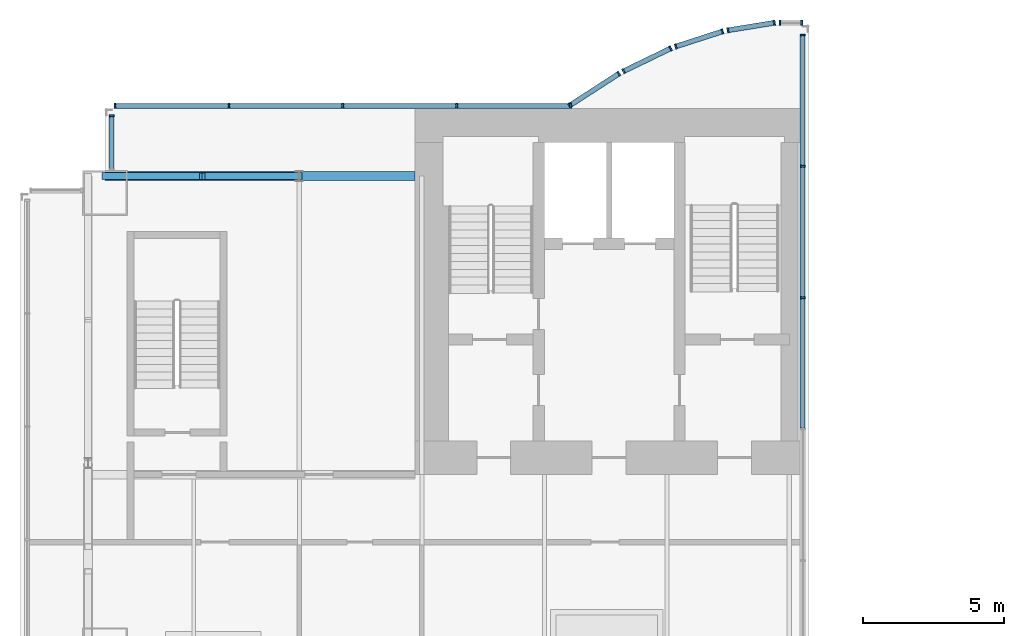
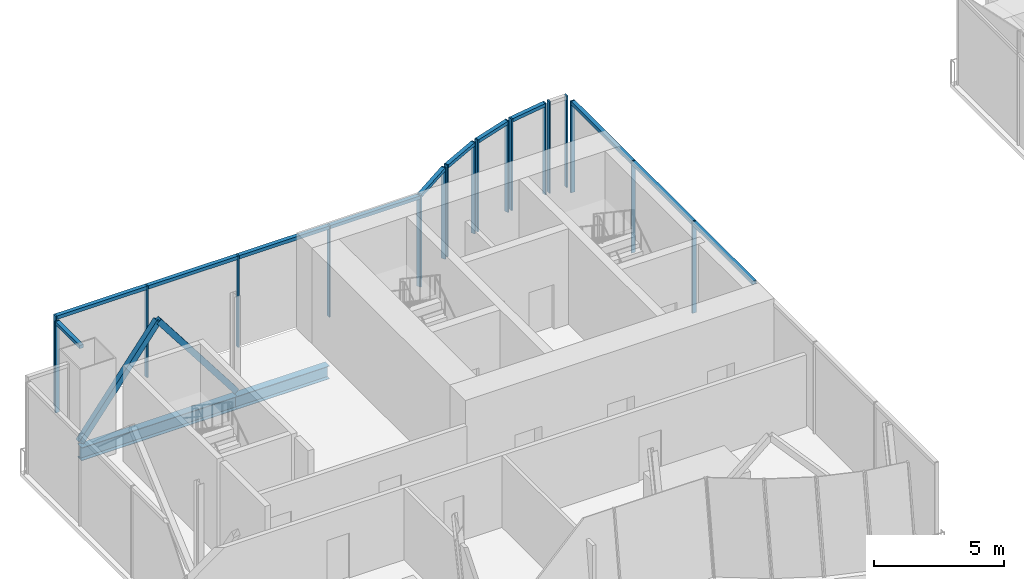
# One storey, part 4 of 17: 33 members, 2 beams, 8 elements without a shape of their own.
"""IFC4 building model written with IfcOpenShell, lengths in metres."""

from ifc_helpers import new_model, si_unit, direction, frame, origin, origin_2d, place, context, subcontext, project, spatial, rectangle, hollow_rectangle, i_section, extrude, material, material_profile, profile_set, type_object, element, aggregate, save


model = new_model("IFC4")

# Units and contexts
model_context = context("Model", 3, precision=1e-05, world=origin(), true_north=direction((0.0, 1.0)))
body_context = subcontext(model_context, "Body", "Model", "MODEL_VIEW")
ifc_project = project(units=[si_unit("LENGTHUNIT", "METRE"), si_unit("AREAUNIT", "SQUARE_METRE"), si_unit("VOLUMEUNIT", "CUBIC_METRE"), si_unit("PLANEANGLEUNIT", "RADIAN"), si_unit("MASSUNIT", "GRAM", prefix="KILO")], contexts=[model_context])

# Site, building, storey
site_placement = place(None, origin())
site = spatial("IfcSite", under=ifc_project, at=site_placement, CompositionType="ELEMENT")
building_placement = place(site_placement, origin())
building = spatial("IfcBuilding", under=site, at=building_placement, Name="Bicima Exchange Tower", CompositionType="ELEMENT")
storey_placement = place(building_placement, frame((0.0, 0.0, 356.89990234375)))
storey = spatial("IfcBuildingStorey", under=building, at=storey_placement, Name="L80", CompositionType="ELEMENT", Elevation=356.89990234375)

# Curtain wall, members
ifc_material_1 = material(Name="Anodised bronze aluminium", Category="aluminium")
curtain_wall_type = type_object("IfcCurtainWallType", Name="Crown glass wall", PredefinedType="NOTDEFINED", material=ifc_material_1)
curtain_wall_1_placement = place(storey_placement, origin())
curtain_wall_1 = element("IfcCurtainWall", 1, at=curtain_wall_1_placement, inside=storey, type_object=curtain_wall_type, Name="Crown glass wall L80 run 2", PredefinedType="NOTDEFINED")
ifc_material_profile_1 = material_profile(ifc_material_1, rectangle(XDim=0.179931640625, YDim=0.06005859375, at=origin_2d()))
ifc_profile_set_1 = profile_set([ifc_material_profile_1], Name="Anodised bronze aluminium")
member_type_1 = type_object("IfcMemberType", Name="Crown glass wall mullion 60 x 180", PredefinedType="MULLION", material=ifc_profile_set_1)
member_1_placement = place(storey_placement, frame((-8.22998046875, -6.71875, 0.0), z_axis=(0.0, 0.0, 1.0), x_axis=(-1.0, 0.0, 0.0)))
member_1 = element("IfcMember", 2, at=member_1_placement, type_object=member_type_1, Name="Crown glass wall mullion 5", PredefinedType="MULLION", context=body_context, shape_type="SweptSolid", body=[
    extrude(rectangle(XDim=0.179931640625, YDim=0.06005859375, at=origin_2d()), origin(), (0.0, 0.0, 1.0), 4.300048828125),
])
member_2_placement = place(storey_placement, frame((-8.22998046875, -2.052978515625, 0.0), z_axis=(0.0, 0.0, 1.0), x_axis=(-1.0, 0.0, 0.0)))
member_2 = element("IfcMember", 3, at=member_2_placement, type_object=member_type_1, Name="Crown glass wall mullion 6", PredefinedType="MULLION", context=body_context, shape_type="SweptSolid", body=[
    extrude(rectangle(XDim=0.179931640625, YDim=0.06005859375, at=origin_2d()), origin(), (0.0, 0.0, 1.0), 4.300048828125),
])
member_3_placement = place(storey_placement, frame((-8.22998046875, 2.613037109375, 0.0), z_axis=(0.0, 0.0, 1.0), x_axis=(-1.0, 0.0, 0.0)))
member_3 = element("IfcMember", 4, at=member_3_placement, type_object=member_type_1, Name="Crown glass wall mullion 7", PredefinedType="MULLION", context=body_context, shape_type="SweptSolid", body=[
    extrude(rectangle(XDim=0.179931640625, YDim=0.06005859375, at=origin_2d()), origin(), (0.0, 0.0, 1.0), 4.300048828125),
])

curtain_wall_2_placement = place(storey_placement, origin())
curtain_wall_2 = element("IfcCurtainWall", 5, at=curtain_wall_2_placement, inside=storey, type_object=curtain_wall_type, Name="Crown glass wall L80 run 3", PredefinedType="NOTDEFINED")
member_4_placement = place(storey_placement, frame((-8.260009765625, 3.052978515625, 0.0), z_axis=(0.0, 0.0, 1.0), x_axis=(0.0, -1.0, 0.0)))
member_4 = element("IfcMember", 6, at=member_4_placement, type_object=member_type_1, Name="Crown glass wall mullion 1", PredefinedType="MULLION", context=body_context, shape_type="SweptSolid", body=[
    extrude(rectangle(XDim=0.179931640625, YDim=0.06005859375, at=origin_2d()), origin(), (0.0, 0.0, 1.0), 4.300048828125),
])
member_5_placement = place(storey_placement, frame((-9.0283203125, 3.052978515625, 0.0), z_axis=(0.0, 0.0, 1.0), x_axis=(0.0, -1.0, 0.0)))
member_5 = element("IfcMember", 7, at=member_5_placement, type_object=member_type_1, Name="Crown glass wall mullion 2", PredefinedType="MULLION", context=body_context, shape_type="SweptSolid", body=[
    extrude(rectangle(XDim=0.179931640625, YDim=0.06005859375, at=origin_2d()), origin(), (0.0, 0.0, 1.0), 4.300048828125),
])
aggregate(curtain_wall_2, [member_4, member_5])

curtain_wall_3_placement = place(storey_placement, origin())
curtain_wall_3 = element("IfcCurtainWall", 8, at=curtain_wall_3_placement, inside=storey, type_object=curtain_wall_type, Name="Crown glass wall L80 run 4", PredefinedType="NOTDEFINED")
member_6_placement = place(storey_placement, frame((-9.22900390625, 3.044189453125, 0.0), z_axis=(0.0, 0.0, 1.0), x_axis=(0.159550386184, -0.987189786347, 0.0)))
member_6 = element("IfcMember", 9, at=member_6_placement, type_object=member_type_1, Name="Crown glass wall mullion 1", PredefinedType="MULLION", context=body_context, shape_type="SweptSolid", body=[
    extrude(rectangle(XDim=0.179931640625, YDim=0.06005859375, at=origin_2d()), origin(), (0.0, 0.0, 1.0), 4.300048828125),
])
member_7_placement = place(storey_placement, frame((-10.878662109375, 2.777587890625, 0.0), z_axis=(0.0, 0.0, 1.0), x_axis=(0.159550386184, -0.987189786347, 0.0)))
member_7 = element("IfcMember", 10, at=member_7_placement, type_object=member_type_1, Name="Crown glass wall mullion 2", PredefinedType="MULLION", context=body_context, shape_type="SweptSolid", body=[
    extrude(rectangle(XDim=0.179931640625, YDim=0.06005859375, at=origin_2d()), origin(), (0.0, 0.0, 1.0), 4.300048828125),
])

curtain_wall_4_placement = place(storey_placement, origin())
curtain_wall_4 = element("IfcCurtainWall", 11, at=curtain_wall_4_placement, inside=storey, type_object=curtain_wall_type, Name="Crown glass wall L80 run 5", PredefinedType="NOTDEFINED")
member_8_placement = place(storey_placement, frame((-11.072998046875, 2.73779296875, 0.0), z_axis=(0.0, 0.0, 1.0), x_axis=(0.307572519808, -0.951524642381, 0.0)))
member_8 = element("IfcMember", 12, at=member_8_placement, type_object=member_type_1, Name="Crown glass wall mullion 1", PredefinedType="MULLION", context=body_context, shape_type="SweptSolid", body=[
    extrude(rectangle(XDim=0.179931640625, YDim=0.06005859375, at=origin_2d()), origin(), (0.0, 0.0, 1.0), 4.300048828125),
])
member_9_placement = place(storey_placement, frame((-12.731689453125, 2.20166015625, 0.0), z_axis=(0.0, 0.0, 1.0), x_axis=(0.307572519808, -0.951524642381, 0.0)))
member_9 = element("IfcMember", 13, at=member_9_placement, type_object=member_type_1, Name="Crown glass wall mullion 2", PredefinedType="MULLION", context=body_context, shape_type="SweptSolid", body=[
    extrude(rectangle(XDim=0.179931640625, YDim=0.06005859375, at=origin_2d()), origin(), (0.0, 0.0, 1.0), 4.300048828125),
])

curtain_wall_5_placement = place(storey_placement, origin())
curtain_wall_5 = element("IfcCurtainWall", 14, at=curtain_wall_5_placement, inside=storey, type_object=curtain_wall_type, Name="Crown glass wall L80 run 6", PredefinedType="NOTDEFINED")
member_10_placement = place(storey_placement, frame((-12.913818359375, 2.135009765625, 0.0), z_axis=(0.0, 0.0, 1.0), x_axis=(0.436264762204, -0.899818346812, 0.0)))
member_10 = element("IfcMember", 15, at=member_10_placement, type_object=member_type_1, Name="Crown glass wall mullion 1", PredefinedType="MULLION", context=body_context, shape_type="SweptSolid", body=[
    extrude(rectangle(XDim=0.179931640625, YDim=0.06005859375, at=origin_2d()), origin(), (0.0, 0.0, 1.0), 4.300048828125),
])
member_11_placement = place(storey_placement, frame((-14.585205078125, 1.32470703125, 0.0), z_axis=(0.0, 0.0, 1.0), x_axis=(0.436264762204, -0.899818346812, 0.0)))
member_11 = element("IfcMember", 16, at=member_11_placement, type_object=member_type_1, Name="Crown glass wall mullion 2", PredefinedType="MULLION", context=body_context, shape_type="SweptSolid", body=[
    extrude(rectangle(XDim=0.179931640625, YDim=0.06005859375, at=origin_2d()), origin(), (0.0, 0.0, 1.0), 4.300048828125),
])

curtain_wall_6_placement = place(storey_placement, origin())
curtain_wall_6 = element("IfcCurtainWall", 17, at=curtain_wall_6_placement, inside=storey, type_object=curtain_wall_type, Name="Crown glass wall L80 run 7", PredefinedType="NOTDEFINED")
member_12_placement = place(storey_placement, frame((-14.752685546875, 1.23681640625, 0.0), z_axis=(0.0, 0.0, 1.0), x_axis=(0.542910648791, -0.839790466384, 0.0)))
member_12 = element("IfcMember", 18, at=member_12_placement, type_object=member_type_1, Name="Crown glass wall mullion 1", PredefinedType="MULLION", context=body_context, shape_type="SweptSolid", body=[
    extrude(rectangle(XDim=0.179931640625, YDim=0.06005859375, at=origin_2d()), origin(), (0.0, 0.0, 1.0), 4.300048828125),
])
member_13_placement = place(storey_placement, frame((-16.505126953125, 0.10400390625, 0.0), z_axis=(0.0, 0.0, 1.0), x_axis=(0.542910648791, -0.839790466384, 0.0)))
member_13 = element("IfcMember", 19, at=member_13_placement, type_object=member_type_1, Name="Crown glass wall mullion 2", PredefinedType="MULLION", context=body_context, shape_type="SweptSolid", body=[
    extrude(rectangle(XDim=0.179931640625, YDim=0.06005859375, at=origin_2d()), origin(), (0.0, 0.0, 1.0), 4.300048828125),
])

curtain_wall_7_placement = place(storey_placement, origin())
curtain_wall_7 = element("IfcCurtainWall", 20, at=curtain_wall_7_placement, inside=storey, type_object=curtain_wall_type, Name="Crown glass wall L80 run 8", PredefinedType="NOTDEFINED")
member_14_placement = place(storey_placement, frame((-16.462158203125, 0.090087890625, 0.0), z_axis=(0.0, 0.0, 1.0), x_axis=(0.0, -1.0, 0.0)))
member_14 = element("IfcMember", 21, at=member_14_placement, type_object=member_type_1, Name="Crown glass wall mullion 1", PredefinedType="MULLION", context=body_context, shape_type="SweptSolid", body=[
    extrude(rectangle(XDim=0.179931640625, YDim=0.06005859375, at=origin_2d()), origin(), (0.0, 0.0, 1.0), 4.300048828125),
])
member_15_placement = place(storey_placement, frame((-20.509033203125, 0.090087890625, 0.0), z_axis=(0.0, 0.0, 1.0), x_axis=(0.0, -1.0, 0.0)))
member_15 = element("IfcMember", 22, at=member_15_placement, type_object=member_type_1, Name="Crown glass wall mullion 2", PredefinedType="MULLION", context=body_context, shape_type="SweptSolid", body=[
    extrude(rectangle(XDim=0.179931640625, YDim=0.06005859375, at=origin_2d()), origin(), (0.0, 0.0, 1.0), 4.300048828125),
])
member_16_placement = place(storey_placement, frame((-24.55615234375, 0.090087890625, 0.0), z_axis=(0.0, 0.0, 1.0), x_axis=(0.0, -1.0, 0.0)))
member_16 = element("IfcMember", 23, at=member_16_placement, type_object=member_type_1, Name="Crown glass wall mullion 3", PredefinedType="MULLION", context=body_context, shape_type="SweptSolid", body=[
    extrude(rectangle(XDim=0.179931640625, YDim=0.06005859375, at=origin_2d()), origin(), (0.0, 0.0, 1.0), 4.300048828125),
])
member_17_placement = place(storey_placement, frame((-28.60302734375, 0.090087890625, 0.0), z_axis=(0.0, 0.0, 1.0), x_axis=(0.0, -1.0, 0.0)))
member_17 = element("IfcMember", 24, at=member_17_placement, type_object=member_type_1, Name="Crown glass wall mullion 4", PredefinedType="MULLION", context=body_context, shape_type="SweptSolid", body=[
    extrude(rectangle(XDim=0.179931640625, YDim=0.06005859375, at=origin_2d()), origin(), (0.0, 0.0, 1.0), 4.300048828125),
])
member_18_placement = place(storey_placement, frame((-32.64990234375, 0.090087890625, 0.0), z_axis=(0.0, 0.0, 1.0), x_axis=(0.0, -1.0, 0.0)))
member_18 = element("IfcMember", 25, at=member_18_placement, type_object=member_type_1, Name="Crown glass wall mullion 5", PredefinedType="MULLION", context=body_context, shape_type="SweptSolid", body=[
    extrude(rectangle(XDim=0.179931640625, YDim=0.06005859375, at=origin_2d()), origin(), (0.0, 0.0, 1.0), 4.300048828125),
])

# Curtain wall, member
curtain_wall_8_placement = place(storey_placement, origin())
curtain_wall_8 = element("IfcCurtainWall", 26, at=curtain_wall_8_placement, inside=storey, type_object=curtain_wall_type, Name="Crown glass wall L80 run 9", PredefinedType="NOTDEFINED")
member_19_placement = place(storey_placement, frame((-32.77001953125, -0.260009765625, 0.0), z_axis=(0.0, 0.0, 1.0), x_axis=(1.0, 0.0, 0.0)))
member_19 = element("IfcMember", 27, at=member_19_placement, type_object=member_type_1, Name="Crown glass wall mullion 1", PredefinedType="MULLION", context=body_context, shape_type="SweptSolid", body=[
    extrude(rectangle(XDim=0.179931640625, YDim=0.06005859375, at=origin_2d()), origin(), (0.0, 0.0, 1.0), 4.300048828125),
])

# Member
ifc_material_profile_2 = material_profile(ifc_material_1, rectangle(XDim=0.179931640625, YDim=0.159912109375, at=origin_2d()))
ifc_profile_set_2 = profile_set([ifc_material_profile_2], Name="Anodised bronze aluminium")
member_type_2 = type_object("IfcMemberType", Name="Crown glass wall transom 160 x 180", PredefinedType="USERDEFINED", material=ifc_profile_set_2)
member_20_placement = place(storey_placement, frame((-8.22998046875, -11.3544921875, 4.22021484375), z_axis=(0.0, 1.0, 0.0), x_axis=(-1.0, 0.0, 0.0)))
member_20 = element("IfcMember", 28, at=member_20_placement, type_object=member_type_2, Name="Crown glass wall transom 4.1", ObjectType="TRANSOM", PredefinedType="USERDEFINED", context=body_context, shape_type="SweptSolid", body=[
    extrude(rectangle(XDim=0.179931640625, YDim=0.159912109375, at=origin_2d()), origin(), (0.0, 0.0, 1.0), 4.605712890625),
])

member_21_placement = place(storey_placement, frame((-8.22998046875, -6.688720703125, 4.22021484375), z_axis=(0.0, 1.0, 0.0), x_axis=(-1.0, 0.0, 0.0)))
member_21 = element("IfcMember", 29, at=member_21_placement, type_object=member_type_2, Name="Crown glass wall transom 5.1", ObjectType="TRANSOM", PredefinedType="USERDEFINED", context=body_context, shape_type="SweptSolid", body=[
    extrude(rectangle(XDim=0.179931640625, YDim=0.159912109375, at=origin_2d()), origin(), (0.0, 0.0, 1.0), 4.605712890625),
])

member_22_placement = place(storey_placement, frame((-8.22998046875, -2.02294921875, 4.22021484375), z_axis=(0.0, 1.0, 0.0), x_axis=(-1.0, 0.0, 0.0)))
member_22 = element("IfcMember", 30, at=member_22_placement, type_object=member_type_2, Name="Crown glass wall transom 6.1", ObjectType="TRANSOM", PredefinedType="USERDEFINED", context=body_context, shape_type="SweptSolid", body=[
    extrude(rectangle(XDim=0.179931640625, YDim=0.159912109375, at=origin_2d()), origin(), (0.0, 0.0, 1.0), 4.60595703125),
])

aggregate(curtain_wall_1, [member_1, member_2, member_3, member_20, member_21, member_22])

member_23_placement = place(storey_placement, frame((-9.258544921875, 3.039306640625, 4.22021484375), z_axis=(-0.987184958941, -0.159580252036, 0.0), x_axis=(0.159580252036, -0.987184958941, 0.0)))
member_23 = element("IfcMember", 31, at=member_23_placement, type_object=member_type_2, Name="Crown glass wall transom 1.1", ObjectType="TRANSOM", PredefinedType="USERDEFINED", context=body_context, shape_type="SweptSolid", body=[
    extrude(rectangle(XDim=0.179931640625, YDim=0.159912109375, at=origin_2d()), origin(), (0.0, 0.0, 1.0), 1.611083984375),
])

aggregate(curtain_wall_3, [member_6, member_7, member_23])

member_24_placement = place(storey_placement, frame((-11.1015625, 2.728515625, 4.22021484375), z_axis=(-0.951488244605, -0.307685099376, 0.0), x_axis=(0.307685099376, -0.951488244605, 0.0)))
member_24 = element("IfcMember", 32, at=member_24_placement, type_object=member_type_2, Name="Crown glass wall transom 1.1", ObjectType="TRANSOM", PredefinedType="USERDEFINED", context=body_context, shape_type="SweptSolid", body=[
    extrude(rectangle(XDim=0.179931640625, YDim=0.159912109375, at=origin_2d()), origin(), (0.0, 0.0, 1.0), 1.682861328125),
])

aggregate(curtain_wall_4, [member_8, member_9, member_24])

member_25_placement = place(storey_placement, frame((-12.94091796875, 2.121826171875, 4.22021484375), z_axis=(-0.899873884154, -0.436150195022, 0.0), x_axis=(0.436150195022, -0.899873884154, 0.0)))
member_25 = element("IfcMember", 33, at=member_25_placement, type_object=member_type_2, Name="Crown glass wall transom 1.1", ObjectType="TRANSOM", PredefinedType="USERDEFINED", context=body_context, shape_type="SweptSolid", body=[
    extrude(rectangle(XDim=0.179931640625, YDim=0.159912109375, at=origin_2d()), origin(), (0.0, 0.0, 1.0), 1.79736328125),
])

aggregate(curtain_wall_5, [member_10, member_11, member_25])

member_26_placement = place(storey_placement, frame((-14.77783203125, 1.220703125, 4.22021484375), z_axis=(-0.839751073679, -0.54297157776, 0.0), x_axis=(0.54297157776, -0.839751073679, 0.0)))
member_26 = element("IfcMember", 34, at=member_26_placement, type_object=member_type_2, Name="Crown glass wall transom 1.1", ObjectType="TRANSOM", PredefinedType="USERDEFINED", context=body_context, shape_type="SweptSolid", body=[
    extrude(rectangle(XDim=0.179931640625, YDim=0.159912109375, at=origin_2d()), origin(), (0.0, 0.0, 1.0), 2.02685546875),
])

aggregate(curtain_wall_6, [member_12, member_13, member_26])

member_27_placement = place(storey_placement, frame((-16.4921875, 0.090087890625, 4.22021484375), z_axis=(-1.0, 0.0, 0.0), x_axis=(0.0, -1.0, 0.0)))
member_27 = element("IfcMember", 35, at=member_27_placement, type_object=member_type_2, Name="Crown glass wall transom 1.1", ObjectType="TRANSOM", PredefinedType="USERDEFINED", context=body_context, shape_type="SweptSolid", body=[
    extrude(rectangle(XDim=0.179931640625, YDim=0.159912109375, at=origin_2d()), origin(), (0.0, 0.0, 1.0), 3.98681640625),
])

member_28_placement = place(storey_placement, frame((-20.5390625, 0.090087890625, 4.22021484375), z_axis=(-1.0, 0.0, 0.0), x_axis=(0.0, -1.0, 0.0)))
member_28 = element("IfcMember", 36, at=member_28_placement, type_object=member_type_2, Name="Crown glass wall transom 2.1", ObjectType="TRANSOM", PredefinedType="USERDEFINED", context=body_context, shape_type="SweptSolid", body=[
    extrude(rectangle(XDim=0.179931640625, YDim=0.159912109375, at=origin_2d()), origin(), (0.0, 0.0, 1.0), 3.987060546875),
])

member_29_placement = place(storey_placement, frame((-24.586181640625, 0.090087890625, 4.22021484375), z_axis=(-1.0, 0.0, 0.0), x_axis=(0.0, -1.0, 0.0)))
member_29 = element("IfcMember", 37, at=member_29_placement, type_object=member_type_2, Name="Crown glass wall transom 3.1", ObjectType="TRANSOM", PredefinedType="USERDEFINED", context=body_context, shape_type="SweptSolid", body=[
    extrude(rectangle(XDim=0.179931640625, YDim=0.159912109375, at=origin_2d()), origin(), (0.0, 0.0, 1.0), 3.98681640625),
])

member_30_placement = place(storey_placement, frame((-28.633056640625, 0.090087890625, 4.22021484375), z_axis=(-1.0, 0.0, 0.0), x_axis=(0.0, -1.0, 0.0)))
member_30 = element("IfcMember", 38, at=member_30_placement, type_object=member_type_2, Name="Crown glass wall transom 4.1", ObjectType="TRANSOM", PredefinedType="USERDEFINED", context=body_context, shape_type="SweptSolid", body=[
    extrude(rectangle(XDim=0.179931640625, YDim=0.159912109375, at=origin_2d()), origin(), (0.0, 0.0, 1.0), 3.987060546875),
])

aggregate(curtain_wall_7, [member_14, member_15, member_16, member_17, member_18, member_27, member_28, member_29, member_30])

member_31_placement = place(storey_placement, frame((-32.77001953125, -0.2900390625, 4.22021484375), z_axis=(0.0, -1.0, 0.0), x_axis=(1.0, 0.0, 0.0)))
member_31 = element("IfcMember", 39, at=member_31_placement, type_object=member_type_2, Name="Crown glass wall transom 1.1", ObjectType="TRANSOM", PredefinedType="USERDEFINED", context=body_context, shape_type="SweptSolid", body=[
    extrude(rectangle(XDim=0.179931640625, YDim=0.159912109375, at=origin_2d()), origin(), (0.0, 0.0, 1.0), 1.849853515625),
])

aggregate(curtain_wall_8, [member_19, member_31])

# Members
ifc_material_2 = material(Name="Steel ASTM A572 Gr 50", Category="steel")
ifc_material_profile_3 = material_profile(ifc_material_2, hollow_rectangle(XDim=0.25390625, YDim=0.25390625, WallThickness=0.01171875, at=origin_2d()))
ifc_profile_set_3 = profile_set([ifc_material_profile_3], Name="Steel ASTM A572 Gr 50")
member_type_3 = type_object("IfcMemberType", Name="Mega brace HSS10x10x1/2", PredefinedType="BRACE", material=ifc_profile_set_3)
for number, where, z_axis, x_axis, name in (
    (40, (-33.0, -2.39990234375, 0.0), (0.608426120198, 0.0, 0.793610519248), (0.0, 1.0, 0.0), "Mega brace rear"),
    (41, (-26.10009765625, -2.39990234375, 0.0), (-0.608426120198, 0.0, 0.793610519248), (0.0, -1.0, 0.0), "Mega brace rear"),
):
    element("IfcMember", number, at=place(storey_placement, frame(where, z_axis=z_axis, x_axis=x_axis)), inside=storey, type_object=member_type_3, Name=name, PredefinedType="BRACE", context=body_context, shape_type="SweptSolid", body=[
        extrude(hollow_rectangle(XDim=0.25390625, YDim=0.25390625, WallThickness=0.01171875, at=origin_2d()), origin(), (0.0, 0.0, 1.0), 5.670166015625),
    ])

# Beams
ifc_material_3 = material(Name="Steel ASTM A992 Gr 50", Category="steel")
ifc_material_profile_4 = material_profile(ifc_material_3, i_section(OverallWidth=0.3251953125, OverallDepth=0.612060546875, WebThickness=0.0126953125, FlangeThickness=0.01904296875, at=origin_2d()))
ifc_profile_set_4 = profile_set([ifc_material_profile_4], Name="Steel ASTM A992 Gr 50")
beam_type = type_object("IfcBeamType", Name="Rear girder W24x104", PredefinedType="BEAM", material=ifc_profile_set_4)
beam_1_placement = place(storey_placement, frame((-22.0, -2.39990234375, -0.506103515625), z_axis=(-1.0, 0.0, 0.0), x_axis=(0.0, -1.0, 0.0)))
element("IfcBeam", 42, at=beam_1_placement, inside=storey, type_object=beam_type, Name="Rear girder", PredefinedType="BEAM", context=body_context, shape_type="SweptSolid", body=[
    extrude(i_section(OverallWidth=0.3251953125, OverallDepth=0.612060546875, WebThickness=0.0126953125, FlangeThickness=0.01904296875, at=origin_2d()), origin(), (0.0, 0.0, 1.0), 4.10009765625),
])
beam_2_placement = place(storey_placement, frame((-26.10009765625, -2.39990234375, -0.506103515625), z_axis=(-1.0, 0.0, 0.0), x_axis=(0.0, -1.0, 0.0)))
element("IfcBeam", 43, at=beam_2_placement, inside=storey, type_object=beam_type, Name="Rear girder", PredefinedType="BEAM", context=body_context, shape_type="SweptSolid", body=[
    extrude(i_section(OverallWidth=0.3251953125, OverallDepth=0.612060546875, WebThickness=0.0126953125, FlangeThickness=0.01904296875, at=origin_2d()), origin(), (0.0, 0.0, 1.0), 6.89990234375),
])

save(model, "model.ifc")
